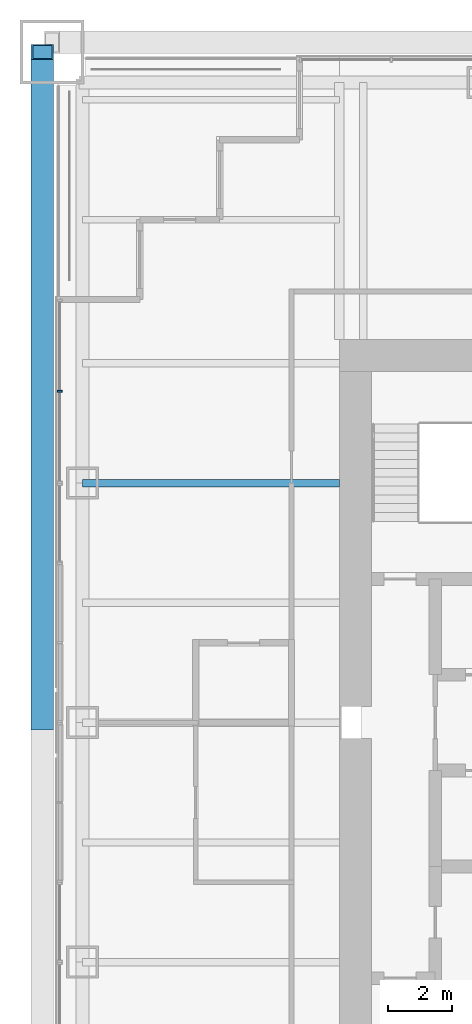
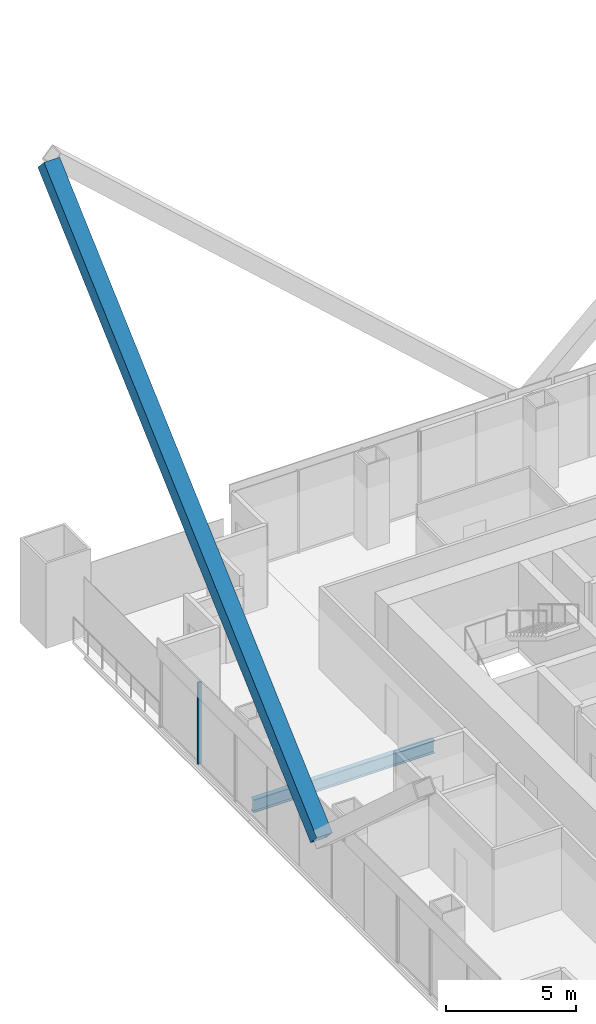
# One storey, part 6 of 19: 2 members, 1 beam, 1 element without a shape of its own.
"""IFC4 building model written with IfcOpenShell, lengths in metres."""

from ifc_helpers import new_model, si_unit, direction, frame, origin, origin_2d, place, context, subcontext, project, spatial, rectangle, hollow_rectangle, i_section, extrude, material, material_profile, profile_set, type_object, element, aggregate, save


model = new_model("IFC4")

# Units and contexts
model_context = context("Model", 3, precision=1e-05, world=origin(), true_north=direction((0.0, 1.0)))
body_context = subcontext(model_context, "Body", "Model", "MODEL_VIEW")
ifc_project = project(units=[si_unit("LENGTHUNIT", "METRE"), si_unit("AREAUNIT", "SQUARE_METRE"), si_unit("VOLUMEUNIT", "CUBIC_METRE"), si_unit("PLANEANGLEUNIT", "RADIAN"), si_unit("MASSUNIT", "GRAM", prefix="KILO")], contexts=[model_context])

# Site, building, storey
site_placement = place(None, origin())
site = spatial("IfcSite", under=ifc_project, at=site_placement, CompositionType="ELEMENT")
building_placement = place(site_placement, origin())
building = spatial("IfcBuilding", under=site, at=building_placement, Name="Tarangal Relay Tower", CompositionType="ELEMENT")
storey_placement = place(building_placement, frame((0.0, 0.0, 275.89990234375)))
storey = spatial("IfcBuildingStorey", under=building, at=storey_placement, Name="L60", CompositionType="ELEMENT", Elevation=275.89990234375)

# Beam
ifc_material_1 = material(Name="Steel ASTM A992", Category="steel")
ifc_material_profile_1 = material_profile(ifc_material_1, i_section(OverallWidth=0.228271484375, OverallDepth=0.607177734375, WebThickness=0.01123046875, FlangeThickness=0.017333984375, at=origin_2d()), Name="W24X76")
ifc_profile_set_1 = profile_set([ifc_material_profile_1], Name="Steel ASTM A992")
beam_type = type_object("IfcBeamType", Name="Floor beam W24X76", PredefinedType="BEAM", material=ifc_profile_set_1)
beam_placement = place(storey_placement, frame((-12.0, 7.5, -0.453369140625), z_axis=(-1.0, 0.0, 0.0), x_axis=(0.0, -1.0, 0.0)))
element("IfcBeam", 1, at=beam_placement, inside=storey, type_object=beam_type, Name="Floor beam RB5 W L60", PredefinedType="BEAM", context=body_context, shape_type="SweptSolid", body=[
    extrude(i_section(OverallWidth=0.228271484375, OverallDepth=0.607177734375, WebThickness=0.01123046875, FlangeThickness=0.017333984375, at=origin_2d()), origin(), (0.0, 0.0, 1.0), 8.0400390625),
])

# Member
ifc_material_2 = material(Name="Steel ASTM A572 Grade 50", Category="steel")
ifc_material_profile_2 = material_profile(ifc_material_2, hollow_rectangle(XDim=0.699951171875, YDim=0.699951171875, WallThickness=0.052001953125, at=origin_2d()), Name="BOX700X700X52")
ifc_profile_set_2 = profile_set([ifc_material_profile_2], Name="Steel ASTM A572 Grade 50")
member_type_1 = type_object("IfcMemberType", Name="Mega brace BOX700X700X52", PredefinedType="BRACE", material=ifc_profile_set_2)
member_1_placement = place(storey_placement, frame((-21.300048828125, 0.0, 3.0), z_axis=(0.0, 0.741535779124, 0.670913323969), x_axis=(-1.0, 0.0, 0.0)))
element("IfcMember", 2, at=member_1_placement, inside=storey, type_object=member_type_1, Name="Mega brace MB4 W face module 1", PredefinedType="BRACE", context=body_context, shape_type="SweptSolid", body=[
    extrude(hollow_rectangle(XDim=0.699951171875, YDim=0.699951171875, WallThickness=0.052001953125, at=origin_2d()), origin(), (0.0, 0.0, 1.0), 28.319580078125),
])

# Curtain wall, member
ifc_material_3 = material(Name="Unitised curtain wall, dark glass and black aluminium", Category="aluminium")
curtain_wall_type = type_object("IfcCurtainWallType", Name="Curtain wall CW-B", PredefinedType="USERDEFINED", material=ifc_material_3)
curtain_wall_placement = place(storey_placement, origin())
curtain_wall = element("IfcCurtainWall", 3, at=curtain_wall_placement, inside=storey, type_object=curtain_wall_type, Name="Curtain wall CW-B W facade L60", ObjectType="UNITISED CURTAIN WALL", PredefinedType="USERDEFINED")
ifc_material_4 = material(Name="Black anodised aluminium mullion", Category="aluminium")
ifc_material_profile_3 = material_profile(ifc_material_4, rectangle(XDim=0.159912109375, YDim=0.06005859375, at=origin_2d()), Name="CW-BM 60X160")
ifc_profile_set_3 = profile_set([ifc_material_profile_3], Name="Black anodised aluminium mullion")
member_type_2 = type_object("IfcMemberType", Name="Mullion CW-B 60 x 160", PredefinedType="MULLION", material=ifc_profile_set_3)
member_2_placement = place(storey_placement, frame((-20.75, 10.375, 0.0), z_axis=(0.0, 0.0, 1.0), x_axis=(-1.0, 0.0, 0.0)))
member_2 = element("IfcMember", 4, at=member_2_placement, type_object=member_type_2, Name="CW-B mullion 2", PredefinedType="MULLION", context=body_context, shape_type="SweptSolid", body=[
    extrude(rectangle(XDim=0.159912109375, YDim=0.06005859375, at=origin_2d()), origin(), (0.0, 0.0, 1.0), 3.85009765625),
])
aggregate(curtain_wall, [member_2])

save(model, "model.ifc")
